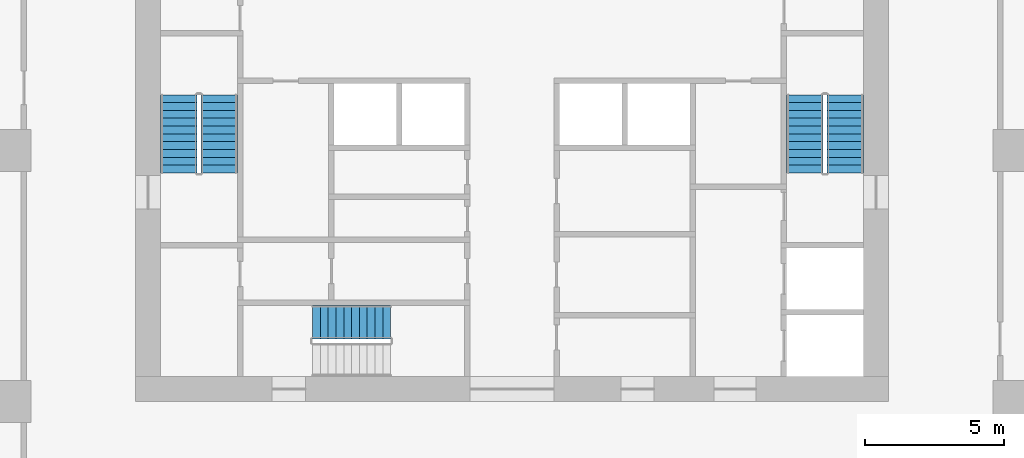
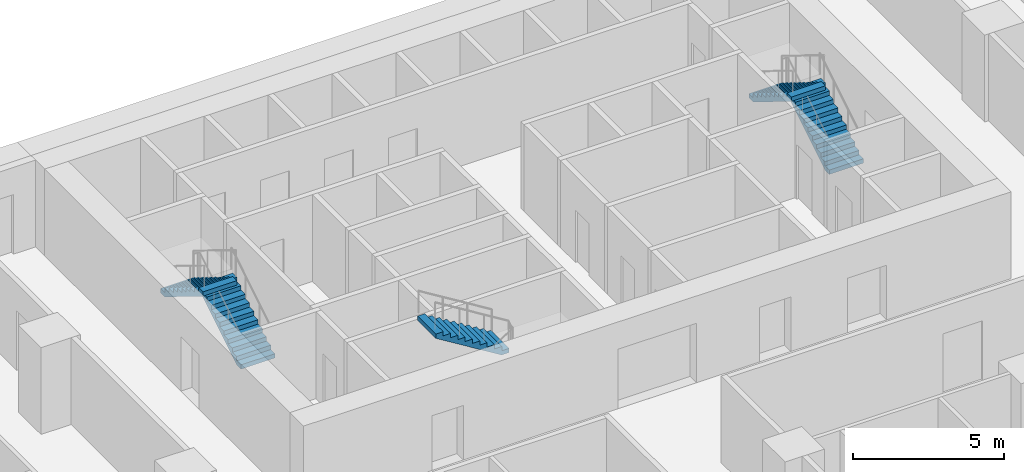
# One storey, part 7 of 14: 5 stair flights, 3 elements without a shape of their own.
"""IFC4 building model written with IfcOpenShell, lengths in metres."""

from ifc_helpers import new_model, si_unit, direction, frame, origin, place, context, subcontext, project, spatial, polyline, outline, extrude, material, type_object, element, aggregate, save


model = new_model("IFC4")

# Units and contexts
model_context = context("Model", 3, precision=1e-05, world=origin(), true_north=direction((0.0, 1.0)))
body_context = subcontext(model_context, "Body", "Model", "MODEL_VIEW")
ifc_project = project(units=[si_unit("LENGTHUNIT", "METRE"), si_unit("AREAUNIT", "SQUARE_METRE"), si_unit("VOLUMEUNIT", "CUBIC_METRE"), si_unit("PLANEANGLEUNIT", "RADIAN"), si_unit("MASSUNIT", "GRAM", prefix="KILO")], contexts=[model_context])

# Site, building, storey
site_placement = place(None, origin())
site = spatial("IfcSite", under=ifc_project, at=site_placement, CompositionType="ELEMENT")
building_placement = place(site_placement, origin())
building = spatial("IfcBuilding", under=site, at=building_placement, Name="Orbiselva Terraces", CompositionType="ELEMENT")
storey_placement = place(building_placement, frame((0.0, 0.0, 49.2)))
storey = spatial("IfcBuildingStorey", under=building, at=storey_placement, Name="L12", CompositionType="ELEMENT", Elevation=49.2)

# Stair, stair flight
ifc_material = material(Name="Concrete C40/50", Category="concrete")
stair_type_1 = type_object("IfcStairType", Name="CORE-STAIR-1200", PredefinedType="HALF_TURN_STAIR", material=ifc_material)
stair_1_placement = place(storey_placement, origin())
stair_1 = element("IfcStair", 1, at=stair_1_placement, inside=storey, type_object=stair_type_1, Name="L12 Exit Stair S3", PredefinedType="HALF_TURN_STAIR")
stair_flight_type_1 = type_object("IfcStairFlightType", Name="CORE-STAIR-FLIGHT-1200", PredefinedType="STRAIGHT", material=ifc_material)
stair_flight_1_placement = place(storey_placement, frame((-4.35, 7.35, 1.9), z_axis=(0.0, 0.0, 1.0), x_axis=(-1.0, 0.0, 0.0)))
stair_flight_1 = element("IfcStairFlight", 2, at=stair_flight_1_placement, type_object=stair_flight_type_1, Name="S3 flight 2", NumberOfRisers=11, NumberOfTreads=10, PredefinedType="STRAIGHT", RiserHeight=0.172727273, TreadLength=0.28, context=body_context, shape_type="SweptSolid", body=[
    extrude(outline(polyline([(0.0, 0.0), (0.0, 0.172727), (0.28, 0.172727), (0.28, 0.345455), (0.56, 0.345455), (0.56, 0.518182), (0.84, 0.518182), (0.84, 0.690909), (1.12, 0.690909), (1.12, 0.863636), (1.4, 0.863636), (1.4, 1.036364), (1.68, 1.036364), (1.68, 1.209091), (1.96, 1.209091), (1.96, 1.381818), (2.24, 1.381818), (2.24, 1.554545), (2.52, 1.554545), (2.52, 1.727273), (2.8, 1.727273), (2.8, 1.9), (2.8, 1.551028), (0.285702, 0.0), (0.0, 0.0)])), frame((0.0, 0.6, 0.0), z_axis=(0.0, -1.0, 0.0), x_axis=(1.0, 0.0, 0.0)), (0.0, 0.0, 1.0), 1.2),
])
aggregate(stair_1, [stair_flight_1])

# Stair, stair flights
stair_type_2 = type_object("IfcStairType", Name="CORE-STAIR-1300", PredefinedType="HALF_TURN_STAIR", material=ifc_material)
stair_2_placement = place(storey_placement, origin())
stair_2 = element("IfcStair", 3, at=stair_2_placement, inside=storey, type_object=stair_type_2, Name="L12 Exit Stair S1", PredefinedType="HALF_TURN_STAIR")
stair_flight_type_2 = type_object("IfcStairFlightType", Name="CORE-STAIR-FLIGHT-1300", PredefinedType="STRAIGHT", material=ifc_material)
stair_flight_2_placement = place(storey_placement, frame((-10.5, 12.7, 0.0), z_axis=(0.0, 0.0, 1.0), x_axis=(0.0, 1.0, 0.0)))
stair_flight_2 = element("IfcStairFlight", 4, at=stair_flight_2_placement, type_object=stair_flight_type_2, Name="S1 flight 1", NumberOfRisers=11, NumberOfTreads=10, PredefinedType="STRAIGHT", RiserHeight=0.172727273, TreadLength=0.28, context=body_context, shape_type="SweptSolid", body=[
    extrude(outline(polyline([(0.0, 0.0), (0.0, 0.172727), (0.28, 0.172727), (0.28, 0.345455), (0.56, 0.345455), (0.56, 0.518182), (0.84, 0.518182), (0.84, 0.690909), (1.12, 0.690909), (1.12, 0.863636), (1.4, 0.863636), (1.4, 1.036364), (1.68, 1.036364), (1.68, 1.209091), (1.96, 1.209091), (1.96, 1.381818), (2.24, 1.381818), (2.24, 1.554545), (2.52, 1.554545), (2.52, 1.727273), (2.8, 1.727273), (2.8, 1.9), (2.8, 1.551028), (0.285702, 0.0), (0.0, 0.0)])), frame((0.0, 0.65, 0.0), z_axis=(0.0, -1.0, 0.0), x_axis=(1.0, 0.0, 0.0)), (0.0, 0.0, 1.0), 1.3),
])
stair_flight_3_placement = place(storey_placement, frame((-11.95, 15.5, 1.9), z_axis=(0.0, 0.0, 1.0), x_axis=(0.0, -1.0, 0.0)))
stair_flight_3 = element("IfcStairFlight", 5, at=stair_flight_3_placement, type_object=stair_flight_type_2, Name="S1 flight 2", NumberOfRisers=11, NumberOfTreads=10, PredefinedType="STRAIGHT", RiserHeight=0.172727273, TreadLength=0.28, context=body_context, shape_type="SweptSolid", body=[
    extrude(outline(polyline([(0.0, 0.0), (0.0, 0.172727), (0.28, 0.172727), (0.28, 0.345455), (0.56, 0.345455), (0.56, 0.518182), (0.84, 0.518182), (0.84, 0.690909), (1.12, 0.690909), (1.12, 0.863636), (1.4, 0.863636), (1.4, 1.036364), (1.68, 1.036364), (1.68, 1.209091), (1.96, 1.209091), (1.96, 1.381818), (2.24, 1.381818), (2.24, 1.554545), (2.52, 1.554545), (2.52, 1.727273), (2.8, 1.727273), (2.8, 1.9), (2.8, 1.551028), (0.285702, 0.0), (0.0, 0.0)])), frame((0.0, 0.65, 0.0), z_axis=(0.0, -1.0, 0.0), x_axis=(1.0, 0.0, 0.0)), (0.0, 0.0, 1.0), 1.3),
])
aggregate(stair_2, [stair_flight_2, stair_flight_3])

stair_3_placement = place(storey_placement, origin())
stair_3 = element("IfcStair", 6, at=stair_3_placement, inside=storey, type_object=stair_type_2, Name="L12 Exit Stair S2", PredefinedType="HALF_TURN_STAIR")
stair_flight_4_placement = place(storey_placement, frame((11.95, 12.7, 0.0), z_axis=(0.0, 0.0, 1.0), x_axis=(0.0, 1.0, 0.0)))
stair_flight_4 = element("IfcStairFlight", 7, at=stair_flight_4_placement, type_object=stair_flight_type_2, Name="S2 flight 1", NumberOfRisers=11, NumberOfTreads=10, PredefinedType="STRAIGHT", RiserHeight=0.172727273, TreadLength=0.28, context=body_context, shape_type="SweptSolid", body=[
    extrude(outline(polyline([(0.0, 0.0), (0.0, 0.172727), (0.28, 0.172727), (0.28, 0.345455), (0.56, 0.345455), (0.56, 0.518182), (0.84, 0.518182), (0.84, 0.690909), (1.12, 0.690909), (1.12, 0.863636), (1.4, 0.863636), (1.4, 1.036364), (1.68, 1.036364), (1.68, 1.209091), (1.96, 1.209091), (1.96, 1.381818), (2.24, 1.381818), (2.24, 1.554545), (2.52, 1.554545), (2.52, 1.727273), (2.8, 1.727273), (2.8, 1.9), (2.8, 1.551028), (0.285702, 0.0), (0.0, 0.0)])), frame((0.0, 0.65, 0.0), z_axis=(0.0, -1.0, 0.0), x_axis=(1.0, 0.0, 0.0)), (0.0, 0.0, 1.0), 1.3),
])
stair_flight_5_placement = place(storey_placement, frame((10.5, 15.5, 1.9), z_axis=(0.0, 0.0, 1.0), x_axis=(0.0, -1.0, 0.0)))
stair_flight_5 = element("IfcStairFlight", 8, at=stair_flight_5_placement, type_object=stair_flight_type_2, Name="S2 flight 2", NumberOfRisers=11, NumberOfTreads=10, PredefinedType="STRAIGHT", RiserHeight=0.172727273, TreadLength=0.28, context=body_context, shape_type="SweptSolid", body=[
    extrude(outline(polyline([(0.0, 0.0), (0.0, 0.172727), (0.28, 0.172727), (0.28, 0.345455), (0.56, 0.345455), (0.56, 0.518182), (0.84, 0.518182), (0.84, 0.690909), (1.12, 0.690909), (1.12, 0.863636), (1.4, 0.863636), (1.4, 1.036364), (1.68, 1.036364), (1.68, 1.209091), (1.96, 1.209091), (1.96, 1.381818), (2.24, 1.381818), (2.24, 1.554545), (2.52, 1.554545), (2.52, 1.727273), (2.8, 1.727273), (2.8, 1.9), (2.8, 1.551028), (0.285702, 0.0), (0.0, 0.0)])), frame((0.0, 0.65, 0.0), z_axis=(0.0, -1.0, 0.0), x_axis=(1.0, 0.0, 0.0)), (0.0, 0.0, 1.0), 1.3),
])
aggregate(stair_3, [stair_flight_4, stair_flight_5])

save(model, "model.ifc")
